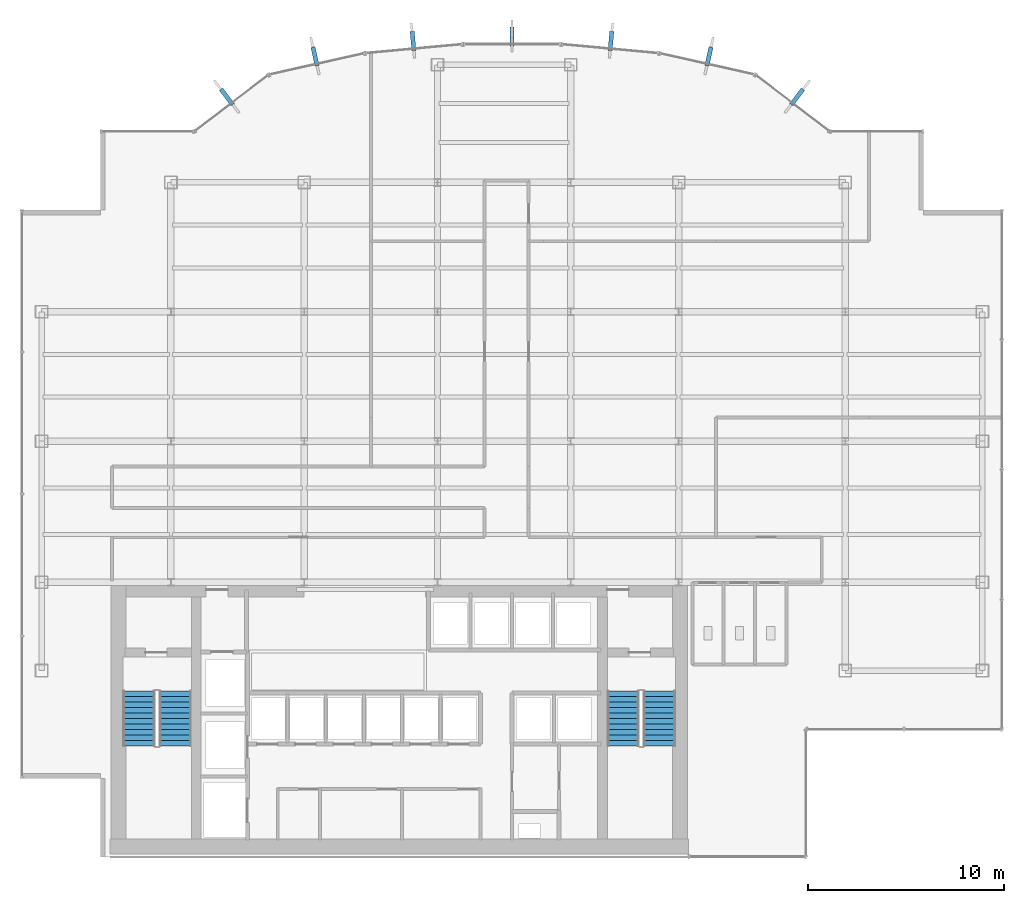
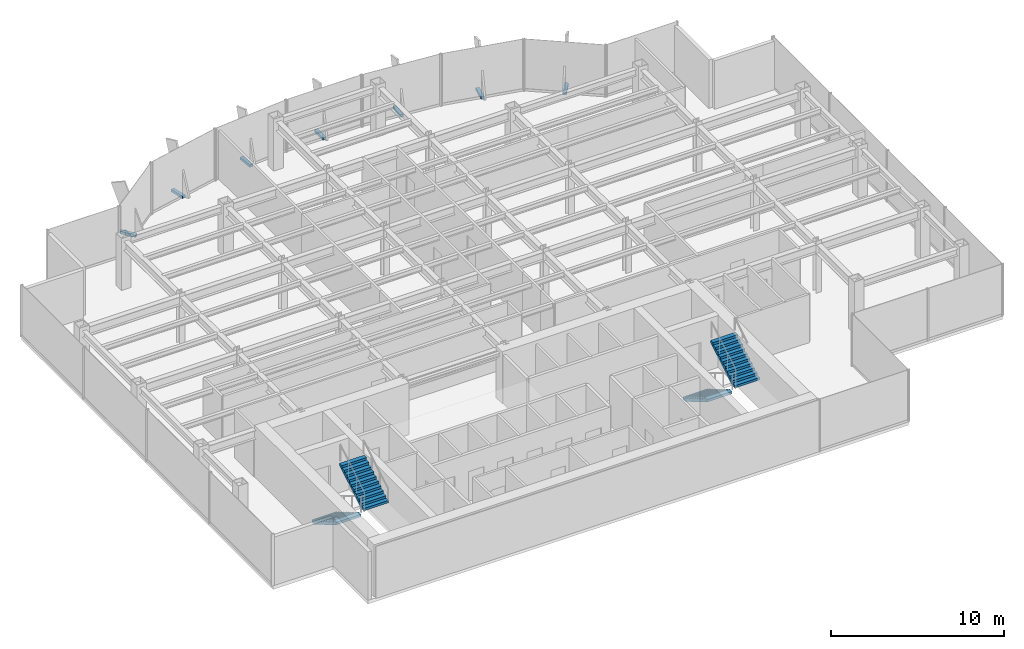
# One storey, part 22 of 25: 7 discrete accessories, 4 stair flights, 2 elements without a shape of their own.
"""IFC4 building model written with IfcOpenShell, lengths in metres."""

from ifc_helpers import new_model, si_unit, derived_unit, direction, frame, origin, origin_2d, place, context, subcontext, project, spatial, polyline, rectangle, outline, extrude, source, transform, mapped, material, type_object, element, aggregate, save


model = new_model("IFC4")

# Units and contexts
model_context = context("Model", 3, precision=1e-05, world=origin(), true_north=direction((0.0, 1.0)))
body_context = subcontext(model_context, "Body", "Model", "MODEL_VIEW")
ifc_project = project(units=[si_unit("LENGTHUNIT", "METRE"), si_unit("AREAUNIT", "SQUARE_METRE"), si_unit("VOLUMEUNIT", "CUBIC_METRE"), si_unit("PLANEANGLEUNIT", "RADIAN"), si_unit("MASSUNIT", "GRAM", prefix="KILO"), derived_unit("THERMALTRANSMITTANCEUNIT", [(si_unit("POWERUNIT", "WATT"), 1), (si_unit("LENGTHUNIT", "METRE"), -2), (si_unit("THERMODYNAMICTEMPERATUREUNIT", "KELVIN"), -1)])], contexts=[model_context])

# Site, building, storey
site_placement = place(None, origin())
site = spatial("IfcSite", under=ifc_project, at=site_placement, CompositionType="ELEMENT")
building_placement = place(site_placement, origin())
building = spatial("IfcBuilding", under=site, at=building_placement, Name="Skarnbrae Concourse Arena and Tower", CompositionType="ELEMENT")
storey_placement = place(building_placement, frame((0.0, 0.0, 147.89990234375)))
storey = spatial("IfcBuildingStorey", under=building, at=storey_placement, Name="L37", CompositionType="ELEMENT", Elevation=147.89990234375)

# Stair, stair flights
ifc_material_1 = material(Name="Concrete 40 MPa (C40/50)", Category="concrete")
stair_type = type_object("IfcStairType", Name="STAIR-DOGLEG-1650", PredefinedType="HALF_TURN_STAIR", material=ifc_material_1)
stair_1_placement = place(storey_placement, origin())
stair_1 = element("IfcStair", 1, at=stair_1_placement, inside=storey, type_object=stair_type, Name="L37 Protected Exit Stair ST-1", PredefinedType="HALF_TURN_STAIR")
stair_flight_type = type_object("IfcStairFlightType", Name="FLIGHT-STRAIGHT-1650", PredefinedType="STRAIGHT", material=ifc_material_1)
shared_shape_1 = source(origin(), body_context, "Body", "SweptSolid", [
    extrude(outline(polyline([(0.0, 0.0), (0.0, 0.166015625), (0.280029296875, 0.166015625), (0.280029296875, 0.331787109375), (0.56005859375, 0.331787109375), (0.56005859375, 0.497802734375), (0.840087890625, 0.497802734375), (0.840087890625, 0.66357421875), (1.1201171875, 0.66357421875), (1.1201171875, 0.82958984375), (1.39990234375, 0.82958984375), (1.39990234375, 0.995361328125), (1.679931640625, 0.995361328125), (1.679931640625, 1.161376953125), (1.9599609375, 1.161376953125), (1.9599609375, 1.327392578125), (2.239990234375, 1.327392578125), (2.239990234375, 1.4931640625), (2.52001953125, 1.4931640625), (2.52001953125, 1.6591796875), (2.800048828125, 1.6591796875), (2.800048828125, 1.824951171875), (2.800048828125, 1.48486328125), (0.2939453125, 0.0), (0.0, 0.0)])), frame((0.0, 0.824951171875, 0.0), z_axis=(0.0, -1.0, 0.0), x_axis=(1.0, 0.0, 0.0)), (0.0, 0.0, 1.0), 1.64990234375),
])
stair_flight_1_placement = place(storey_placement, frame((5.97509765625, 8.449951171875, 0.0), z_axis=(0.0, 0.0, 1.0), x_axis=(0.0, -1.0, 0.0)))
stair_flight_1 = element("IfcStairFlight", 2, at=stair_flight_1_placement, type_object=stair_flight_type, Name="ST-1 flight 1", NumberOfRisers=11, NumberOfTreads=10, PredefinedType="STRAIGHT", RiserHeight=0.165909091, TreadLength=0.28, context=body_context, shape_type="MappedRepresentation", body=[
    mapped(shared_shape_1, transform((0.0, 0.0, 0.0))),
])
stair_flight_2_placement = place(storey_placement, frame((7.824951171875, 5.64990234375, 1.8251953125), z_axis=(0.0, 0.0, 1.0), x_axis=(0.0, 1.0, 0.0)))
stair_flight_2 = element("IfcStairFlight", 3, at=stair_flight_2_placement, type_object=stair_flight_type, Name="ST-1 flight 2", NumberOfRisers=11, NumberOfTreads=10, PredefinedType="STRAIGHT", RiserHeight=0.165909091, TreadLength=0.28, context=body_context, shape_type="MappedRepresentation", body=[
    mapped(shared_shape_1, transform((0.0, 0.0, 0.0))),
])
aggregate(stair_1, [stair_flight_1, stair_flight_2])

stair_2_placement = place(storey_placement, origin())
stair_2 = element("IfcStair", 4, at=stair_2_placement, inside=storey, type_object=stair_type, Name="L37 Protected Exit Stair ST-2", PredefinedType="HALF_TURN_STAIR")
stair_flight_3_placement = place(storey_placement, frame((30.675048828125, 8.449951171875, 0.0), z_axis=(0.0, 0.0, 1.0), x_axis=(0.0, -1.0, 0.0)))
stair_flight_3 = element("IfcStairFlight", 5, at=stair_flight_3_placement, type_object=stair_flight_type, Name="ST-2 flight 1", NumberOfRisers=11, NumberOfTreads=10, PredefinedType="STRAIGHT", RiserHeight=0.165909091, TreadLength=0.28, context=body_context, shape_type="MappedRepresentation", body=[
    mapped(shared_shape_1, transform((0.0, 0.0, 0.0))),
])
stair_flight_4_placement = place(storey_placement, frame((32.52490234375, 5.64990234375, 1.8251953125), z_axis=(0.0, 0.0, 1.0), x_axis=(0.0, 1.0, 0.0)))
stair_flight_4 = element("IfcStairFlight", 6, at=stair_flight_4_placement, type_object=stair_flight_type, Name="ST-2 flight 2", NumberOfRisers=11, NumberOfTreads=10, PredefinedType="STRAIGHT", RiserHeight=0.165909091, TreadLength=0.28, context=body_context, shape_type="MappedRepresentation", body=[
    mapped(shared_shape_1, transform((0.0, 0.0, 0.0))),
])
aggregate(stair_2, [stair_flight_3, stair_flight_4])

# Discrete accessories
ifc_material_2 = material(Name="Bronze anodised aluminium 6063-T6", Category="aluminium")
discrete_accessory_type = type_object("IfcDiscreteAccessoryType", Name="ACC-FIN-BRACKET", PredefinedType="BRACKET", material=ifc_material_2)
shared_shape_2 = source(origin(), body_context, "Body", "SweptSolid", [
    extrude(rectangle(XDim=0.219970703125, YDim=0.97998046875, at=origin_2d()), origin(), (0.0, 0.0, 1.0), 0.179931640625),
])
for number, where, z_axis, x_axis, name in (
    (7, (39.54736328125, 38.764404296875, -0.02978515625), (0.0, 0.0, 1.0), (0.794954941871, -0.606668476513, 0.0), "L37 Bronze fin foot support bracket 08"),
    (8, (35.048095703125, 40.830078125, -0.02978515625), (0.0, 0.0, 1.0), (0.975935794812, -0.218058075762, 0.0), "L37 Bronze fin foot support bracket 09"),
    (9, (30.04833984375, 41.614501953125, -0.02978515625), (0.0, 0.0, 1.0), (0.99581928833, -0.091345196863, 0.0), "L37 Bronze fin foot support bracket 10"),
    (10, (25.0, 41.845703125, -0.02978515625), (0.0, 0.0, 1.0), (1.0, 0.0, 0.0), "L37 Bronze fin foot support bracket 11"),
    (11, (19.95166015625, 41.614501953125, -0.02978515625), (0.0, 0.0, 1.0), (0.99581928833, 0.091345196863, 0.0), "L37 Bronze fin foot support bracket 12"),
    (12, (14.951904296875, 40.830078125, -0.02978515625), (0.0, 0.0, 1.0), (0.975935794812, 0.218058075762, 0.0), "L37 Bronze fin foot support bracket 13"),
    (13, (10.45263671875, 38.764404296875, -0.02978515625), (0.0, 0.0, 1.0), (0.794954941871, 0.606668476513, 0.0), "L37 Bronze fin foot support bracket 14"),
):
    element("IfcDiscreteAccessory", number, at=place(storey_placement, frame(where, z_axis=z_axis, x_axis=x_axis)), inside=storey, type_object=discrete_accessory_type, Name=name, PredefinedType="BRACKET", context=body_context, shape_type="MappedRepresentation", body=[
        mapped(shared_shape_2, transform((0.0, 0.0, 0.0))),
    ])

save(model, "model.ifc")
